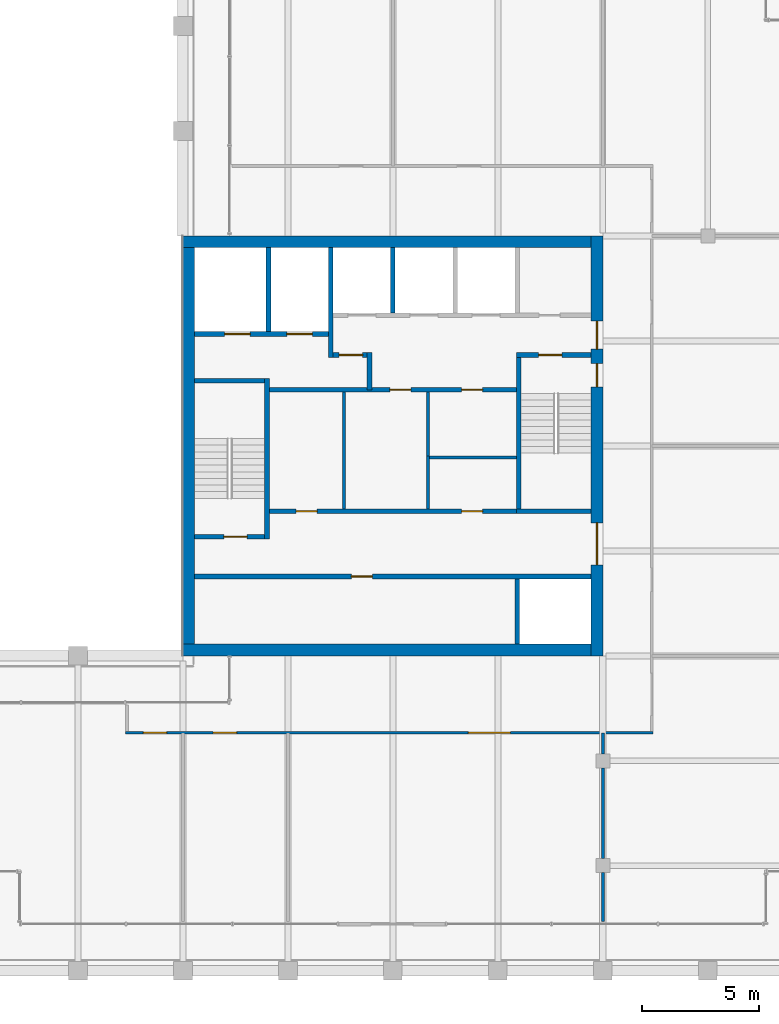
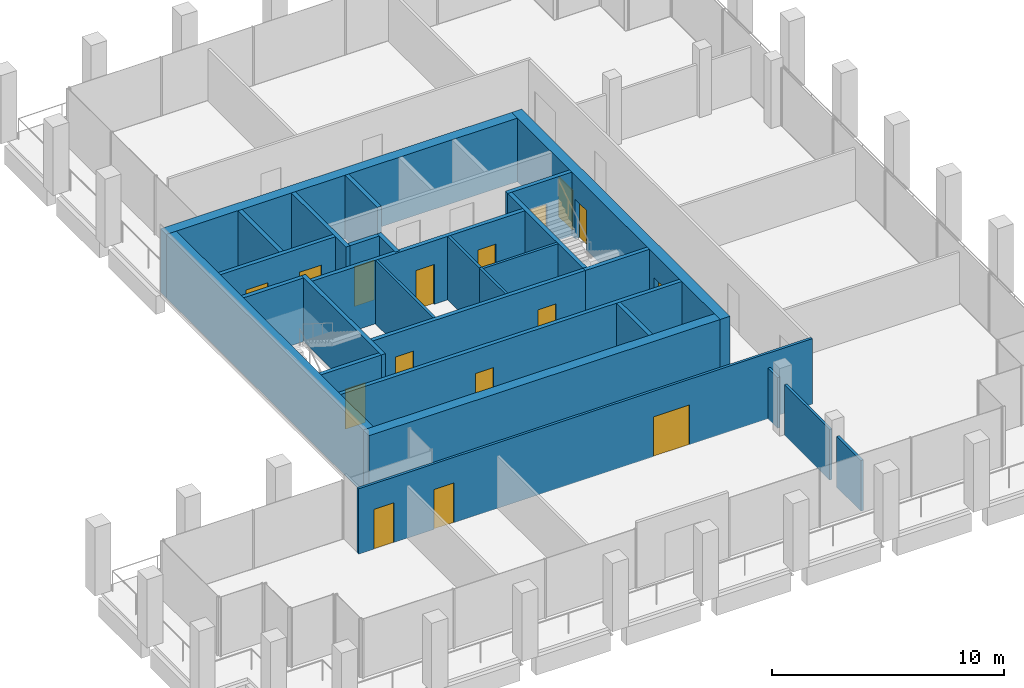
# One storey, part 28 of 30: 28 walls, 16 doors, 16 openings.
"""IFC4 building model written with IfcOpenShell, lengths in metres."""

from ifc_helpers import new_model, si_unit, direction, frame, frame_2d, origin, place, context, subcontext, project, spatial, rectangle, extrude, material, layer, layer_set, type_object, element, fill, save


model = new_model("IFC4")

# Units and contexts
model_context = context("Model", 3, precision=1e-05, world=origin(), true_north=direction((0.0, 1.0)))
body_context = subcontext(model_context, "Body", "Model", "MODEL_VIEW")
ifc_project = project(units=[si_unit("LENGTHUNIT", "METRE"), si_unit("AREAUNIT", "SQUARE_METRE"), si_unit("VOLUMEUNIT", "CUBIC_METRE"), si_unit("PLANEANGLEUNIT", "RADIAN"), si_unit("MASSUNIT", "GRAM", prefix="KILO")], contexts=[model_context])

# Site, building, storey
site_placement = place(None, origin())
site = spatial("IfcSite", under=ifc_project, at=site_placement, CompositionType="ELEMENT")
building_placement = place(site_placement, origin())
building = spatial("IfcBuilding", under=site, at=building_placement, Name="Altepetl Exchange Towers", CompositionType="ELEMENT")
storey_placement = place(building_placement, frame((0.0, 0.0, 235.199951171875)))
storey = spatial("IfcBuildingStorey", under=building, at=storey_placement, Name="L60", CompositionType="ELEMENT", Elevation=235.199951171875)

# Wall, openings, doors
ifc_material_1 = material(Name="Concrete C70/85", Category="concrete")
ifc_layer_1 = layer(ifc_material_1, 0.5)
ifc_layer_set_1 = layer_set([ifc_layer_1], Name="Concrete C70/85")
wall_type_1 = type_object("IfcWallType", Name="Core wall 500 reinforced concrete", PredefinedType="SHEAR", material=ifc_layer_set_1)
wall_1_placement = place(storey_placement, frame((58.25, 40.5, 0.0), z_axis=(0.0, 0.0, 1.0), x_axis=(0.0, 1.0, 0.0)))
wall_1 = element("IfcWall", 1, at=wall_1_placement, inside=storey, type_object=wall_type_1, Name="wall:A:L60:K-coreE", PredefinedType="SHEAR", context=body_context, shape_type="SweptSolid", body=[
    extrude(rectangle(XDim=18.0, YDim=0.5, at=frame_2d((9.0, 0.0))), origin(), (0.0, 0.0, 1.0), 3.35009765625),
])
opening_1_placement = place(wall_1_placement, frame((13.14990234375, 0.0, 0.0)))
opening_1 = element("IfcOpeningElement", 2, at=opening_1_placement, cuts=wall_1, Name="Opening L60.A60", PredefinedType="OPENING", context=body_context, shape_type="SweptSolid", body=[
    extrude(rectangle(XDim=1.199951171875, YDim=2.10009765625, at=frame_2d((0.60009765625, 1.050048828125))), frame((0.0, 0.260009765625, 0.0), z_axis=(0.0, -1.0, 0.0), x_axis=(1.0, 0.0, 0.0)), (0.0, 0.0, 1.0), 0.52001953125),
])
opening_2_placement = place(wall_1_placement, frame((3.89990234375, 0.0, 0.0)))
opening_2 = element("IfcOpeningElement", 3, at=opening_2_placement, cuts=wall_1, Name="Opening L60.A61", PredefinedType="OPENING", context=body_context, shape_type="SweptSolid", body=[
    extrude(rectangle(XDim=1.800048828125, YDim=2.10009765625, at=frame_2d((0.89990234375, 1.050048828125))), frame((0.0, 0.260009765625, 0.0), z_axis=(0.0, -1.0, 0.0), x_axis=(1.0, 0.0, 0.0)), (0.0, 0.0, 1.0), 0.52001953125),
])
opening_3_placement = place(wall_1_placement, frame((11.52490234375, 0.0, 0.0)))
opening_3 = element("IfcOpeningElement", 4, at=opening_3_placement, cuts=wall_1, Name="Opening L60.A64", PredefinedType="OPENING", context=body_context, shape_type="SweptSolid", body=[
    extrude(rectangle(XDim=1.0, YDim=2.10009765625, at=frame_2d((0.5, 1.050048828125))), frame((0.0, 0.260009765625, 0.0), z_axis=(0.0, -1.0, 0.0), x_axis=(1.0, 0.0, 0.0)), (0.0, 0.0, 1.0), 0.52001953125),
])
ifc_material_2 = material(Name="Steel and timber fire door", Category="steel")
door_type_1 = type_object("IfcDoorType", Name="Fire door 1000 x 2100 stair and lobby", OperationType="SINGLE_SWING_LEFT", PredefinedType="DOOR", material=ifc_material_2)
door_1_placement = place(opening_3_placement, origin())
door_1 = element("IfcDoor", 5, at=door_1_placement, inside=storey, type_object=door_type_1, Name="door:A:L60:K-dS2x", OperationType="SINGLE_SWING_RIGHT", OverallHeight=2.10009765625, OverallWidth=1.0, PredefinedType="DOOR", context=body_context, shape_type="SweptSolid", body=[
    extrude(rectangle(XDim=1.0, YDim=2.10009765625, at=frame_2d((0.5, 1.050048828125))), frame((0.0, 0.02490234375, 0.0), z_axis=(0.0, -1.0, 0.0), x_axis=(1.0, 0.0, 0.0)), (0.0, 0.0, 1.0), 0.050048828125),
])
fill(opening_3, door_1)
door_type_2 = type_object("IfcDoorType", Name="Fire door 1200 x 2100 lobby entry", OperationType="SINGLE_SWING_LEFT", PredefinedType="DOOR", material=ifc_material_2)
door_2_placement = place(opening_1_placement, origin())
door_2 = element("IfcDoor", 6, at=door_2_placement, inside=storey, type_object=door_type_2, Name="door:A:L60:K-dLNE", OperationType="SINGLE_SWING_RIGHT", OverallHeight=2.10009765625, OverallWidth=1.199951171875, PredefinedType="DOOR", context=body_context, shape_type="SweptSolid", body=[
    extrude(rectangle(XDim=1.199951171875, YDim=2.10009765625, at=frame_2d((0.60009765625, 1.050048828125))), frame((0.0, 0.02490234375, 0.0), z_axis=(0.0, -1.0, 0.0), x_axis=(1.0, 0.0, 0.0)), (0.0, 0.0, 1.0), 0.050048828125),
])
fill(opening_1, door_2)
door_type_3 = type_object("IfcDoorType", Name="Fire door 1800 x 2100 lobby entry", OperationType="DOUBLE_DOOR_SINGLE_SWING", PredefinedType="DOOR", material=ifc_material_2)
door_3_placement = place(opening_2_placement, origin())
door_3 = element("IfcDoor", 7, at=door_3_placement, inside=storey, type_object=door_type_3, Name="door:A:L60:K-dLSE", OperationType="DOUBLE_DOOR_SINGLE_SWING", OverallHeight=2.10009765625, OverallWidth=1.800048828125, PredefinedType="DOOR", context=body_context, shape_type="SweptSolid", body=[
    extrude(rectangle(XDim=1.800048828125, YDim=2.10009765625, at=frame_2d((0.89990234375, 1.050048828125))), frame((0.0, 0.02490234375, 0.0), z_axis=(0.0, -1.0, 0.0), x_axis=(1.0, 0.0, 0.0)), (0.0, 0.0, 1.0), 0.050048828125),
])
fill(opening_2, door_3)

# Walls
for number, where, name in (
    (8, (40.5, 58.25, 0.0), "wall:A:L60:K-coreN"),
    (9, (40.5, 40.75, 0.0), "wall:A:L60:K-coreS"),
):
    element("IfcWall", number, at=place(storey_placement, frame(where)), inside=storey, type_object=wall_type_1, Name=name, PredefinedType="SHEAR", context=body_context, shape_type="SweptSolid", body=[
        extrude(rectangle(XDim=17.5, YDim=0.5, at=frame_2d((8.75, 0.0))), origin(), (0.0, 0.0, 1.0), 3.35009765625),
    ])
ifc_layer_2 = layer(ifc_material_1, 0.5)
ifc_layer_set_2 = layer_set([ifc_layer_2], Name="Concrete C70/85")
wall_type_2 = type_object("IfcWallType", Name="Core wall 500 reinforced concrete external", PredefinedType="SHEAR", material=ifc_layer_set_2)
wall_2_placement = place(storey_placement, frame((40.75, 41.0, 0.0), z_axis=(0.0, 0.0, 1.0), x_axis=(0.0, 1.0, 0.0)))
element("IfcWall", 10, at=wall_2_placement, inside=storey, type_object=wall_type_2, Name="wall:A:L60:K-coreW", PredefinedType="SHEAR", context=body_context, shape_type="SweptSolid", body=[
    extrude(rectangle(XDim=17.0, YDim=0.5, at=frame_2d((8.5, 0.0))), origin(), (0.0, 0.0, 1.0), 3.35009765625),
])
ifc_material_3 = material(Name="Concrete blockwork", Category="masonry")
ifc_layer_3 = layer(ifc_material_3, 0.199951171875)
ifc_layer_set_3 = layer_set([ifc_layer_3], Name="Concrete blockwork")
wall_type_3 = type_object("IfcWallType", Name="Lobby wall 200 blockwork", PredefinedType="PARTITIONING", material=ifc_layer_set_3)
wall_3_placement = place(storey_placement, frame((48.5, 51.89990234375, 0.0), z_axis=(0.0, 0.0, 1.0), x_axis=(0.0, 1.0, 0.0)))
element("IfcWall", 11, at=wall_3_placement, inside=storey, type_object=wall_type_3, Name="wall:A:L60:K-ffE", PredefinedType="PARTITIONING", context=body_context, shape_type="SweptSolid", body=[
    extrude(rectangle(XDim=1.60009765625, YDim=0.199951171875, at=frame_2d((0.800048828125, 0.0))), origin(), (0.0, 0.0, 1.0), 3.35009765625),
])

# Wall, opening, door
wall_4_placement = place(storey_placement, frame((46.933349609375, 53.39990234375, 0.0)))
wall_4 = element("IfcWall", 12, at=wall_4_placement, inside=storey, type_object=wall_type_3, Name="wall:A:L60:K-ffN", PredefinedType="PARTITIONING", context=body_context, shape_type="SweptSolid", body=[
    extrude(rectangle(XDim=1.466552734375, YDim=0.199951171875, at=frame_2d((0.7333984375, 0.0))), origin(), (0.0, 0.0, 1.0), 3.35009765625),
])
opening_4_placement = place(wall_4_placement, frame((0.2666015625, 0.0, 0.0)))
opening_4 = element("IfcOpeningElement", 13, at=opening_4_placement, cuts=wall_4, Name="Opening L60.A65", PredefinedType="OPENING", context=body_context, shape_type="SweptSolid", body=[
    extrude(rectangle(XDim=1.0, YDim=2.10009765625, at=frame_2d((0.5, 1.050048828125))), frame((0.0, 0.10986328125, 0.0), z_axis=(0.0, -1.0, 0.0), x_axis=(1.0, 0.0, 0.0)), (0.0, 0.0, 1.0), 0.219970703125),
])
door_4_placement = place(opening_4_placement, frame((1.0, 0.0, 0.0), x_axis=(-1.0, 0.0, 0.0)))
door_4 = element("IfcDoor", 14, at=door_4_placement, inside=storey, type_object=door_type_1, Name="door:A:L60:K-dffN", OperationType="SINGLE_SWING_LEFT", OverallHeight=2.10009765625, OverallWidth=1.0, PredefinedType="DOOR", context=body_context, shape_type="SweptSolid", body=[
    extrude(rectangle(XDim=1.0, YDim=2.10009765625, at=frame_2d((0.5, 1.050048828125))), frame((0.0, 0.02490234375, 0.0), z_axis=(0.0, -1.0, 0.0), x_axis=(1.0, 0.0, 0.0)), (0.0, 0.0, 1.0), 0.050048828125),
])
fill(opening_4, door_4)

# Wall, openings, doors
wall_5_placement = place(storey_placement, frame((44.199951171875, 51.89990234375, 0.0)))
wall_5 = element("IfcWall", 15, at=wall_5_placement, inside=storey, type_object=wall_type_3, Name="wall:A:L60:K-zoneN", PredefinedType="PARTITIONING", context=body_context, shape_type="SweptSolid", body=[
    extrude(rectangle(XDim=10.60009765625, YDim=0.199951171875, at=frame_2d((5.300048828125, 0.0))), origin(), (0.0, 0.0, 1.0), 3.35009765625),
])
opening_5_placement = place(wall_5_placement, frame((5.175048828125, 0.0, 0.0)))
opening_5 = element("IfcOpeningElement", 16, at=opening_5_placement, cuts=wall_5, Name="Opening L60.A69", PredefinedType="OPENING", context=body_context, shape_type="SweptSolid", body=[
    extrude(rectangle(XDim=0.89990234375, YDim=2.10009765625, at=frame_2d((0.449951171875, 1.050048828125))), frame((0.0, 0.10986328125, 0.0), z_axis=(0.0, -1.0, 0.0), x_axis=(1.0, 0.0, 0.0)), (0.0, 0.0, 1.0), 0.219970703125),
])
opening_6_placement = place(wall_5_placement, frame((8.25, 0.0, 0.0)))
opening_6 = element("IfcOpeningElement", 17, at=opening_6_placement, cuts=wall_5, Name="Opening L60.A71", PredefinedType="OPENING", context=body_context, shape_type="SweptSolid", body=[
    extrude(rectangle(XDim=0.89990234375, YDim=2.10009765625, at=frame_2d((0.449951171875, 1.050048828125))), frame((0.0, 0.10986328125, 0.0), z_axis=(0.0, -1.0, 0.0), x_axis=(1.0, 0.0, 0.0)), (0.0, 0.0, 1.0), 0.219970703125),
])
door_type_4 = type_object("IfcDoorType", Name="Fire door 900 x 2100 service room", OperationType="SINGLE_SWING_LEFT", PredefinedType="DOOR", material=ifc_material_2)
door_5_placement = place(opening_5_placement, frame((0.89990234375, 0.0, 0.0), x_axis=(-1.0, 0.0, 0.0)))
door_5 = element("IfcDoor", 18, at=door_5_placement, inside=storey, type_object=door_type_4, Name="door:A:L60:K-dz2", OperationType="SINGLE_SWING_LEFT", OverallHeight=2.10009765625, OverallWidth=0.89990234375, PredefinedType="DOOR", context=body_context, shape_type="SweptSolid", body=[
    extrude(rectangle(XDim=0.89990234375, YDim=2.10009765625, at=frame_2d((0.449951171875, 1.050048828125))), frame((0.0, 0.02490234375, 0.0), z_axis=(0.0, -1.0, 0.0), x_axis=(1.0, 0.0, 0.0)), (0.0, 0.0, 1.0), 0.050048828125),
])
fill(opening_5, door_5)
door_6_placement = place(opening_6_placement, frame((0.89990234375, 0.0, 0.0), x_axis=(-1.0, 0.0, 0.0)))
door_6 = element("IfcDoor", 19, at=door_6_placement, inside=storey, type_object=door_type_4, Name="door:A:L60:K-dz4", OperationType="SINGLE_SWING_LEFT", OverallHeight=2.10009765625, OverallWidth=0.89990234375, PredefinedType="DOOR", context=body_context, shape_type="SweptSolid", body=[
    extrude(rectangle(XDim=0.89990234375, YDim=2.10009765625, at=frame_2d((0.449951171875, 1.050048828125))), frame((0.0, 0.02490234375, 0.0), z_axis=(0.0, -1.0, 0.0), x_axis=(1.0, 0.0, 0.0)), (0.0, 0.0, 1.0), 0.050048828125),
])
fill(opening_6, door_6)

wall_6_placement = place(storey_placement, frame((44.199951171875, 46.699951171875, 0.0)))
wall_6 = element("IfcWall", 20, at=wall_6_placement, inside=storey, type_object=wall_type_3, Name="wall:A:L60:K-zoneS", PredefinedType="PARTITIONING", context=body_context, shape_type="SweptSolid", body=[
    extrude(rectangle(XDim=10.60009765625, YDim=0.199951171875, at=frame_2d((5.300048828125, 0.0))), origin(), (0.0, 0.0, 1.0), 3.35009765625),
])
opening_7_placement = place(wall_6_placement, frame((1.14990234375, 0.0, 0.0)))
opening_7 = element("IfcOpeningElement", 21, at=opening_7_placement, cuts=wall_6, Name="Opening L60.A68", PredefinedType="OPENING", context=body_context, shape_type="SweptSolid", body=[
    extrude(rectangle(XDim=0.89990234375, YDim=2.10009765625, at=frame_2d((0.449951171875, 1.050048828125))), frame((0.0, 0.10986328125, 0.0), z_axis=(0.0, -1.0, 0.0), x_axis=(1.0, 0.0, 0.0)), (0.0, 0.0, 1.0), 0.219970703125),
])
opening_8_placement = place(wall_6_placement, frame((8.25, 0.0, 0.0)))
opening_8 = element("IfcOpeningElement", 22, at=opening_8_placement, cuts=wall_6, Name="Opening L60.A70", PredefinedType="OPENING", context=body_context, shape_type="SweptSolid", body=[
    extrude(rectangle(XDim=0.89990234375, YDim=2.10009765625, at=frame_2d((0.449951171875, 1.050048828125))), frame((0.0, 0.10986328125, 0.0), z_axis=(0.0, -1.0, 0.0), x_axis=(1.0, 0.0, 0.0)), (0.0, 0.0, 1.0), 0.219970703125),
])
door_7_placement = place(opening_7_placement, origin())
door_7 = element("IfcDoor", 23, at=door_7_placement, inside=storey, type_object=door_type_4, Name="door:A:L60:K-dz1", OperationType="SINGLE_SWING_RIGHT", OverallHeight=2.10009765625, OverallWidth=0.89990234375, PredefinedType="DOOR", context=body_context, shape_type="SweptSolid", body=[
    extrude(rectangle(XDim=0.89990234375, YDim=2.10009765625, at=frame_2d((0.449951171875, 1.050048828125))), frame((0.0, 0.02490234375, 0.0), z_axis=(0.0, -1.0, 0.0), x_axis=(1.0, 0.0, 0.0)), (0.0, 0.0, 1.0), 0.050048828125),
])
fill(opening_7, door_7)
door_8_placement = place(opening_8_placement, origin())
door_8 = element("IfcDoor", 24, at=door_8_placement, inside=storey, type_object=door_type_4, Name="door:A:L60:K-dz3", OperationType="SINGLE_SWING_RIGHT", OverallHeight=2.10009765625, OverallWidth=0.89990234375, PredefinedType="DOOR", context=body_context, shape_type="SweptSolid", body=[
    extrude(rectangle(XDim=0.89990234375, YDim=2.10009765625, at=frame_2d((0.449951171875, 1.050048828125))), frame((0.0, 0.02490234375, 0.0), z_axis=(0.0, -1.0, 0.0), x_axis=(1.0, 0.0, 0.0)), (0.0, 0.0, 1.0), 0.050048828125),
])
fill(opening_8, door_8)

# Walls
ifc_material_4 = material(Name="Gypsum board on steel studs", Category="steel")
ifc_layer_4 = layer(ifc_material_4, 0.125)
ifc_layer_set_4 = layer_set([ifc_layer_4], Name="Gypsum board on steel studs")
wall_type_4 = type_object("IfcWallType", Name="Partition 125 gypsum board on steel studs", PredefinedType="PARTITIONING", material=ifc_layer_set_4)
wall_7_placement = place(storey_placement, frame((47.39990234375, 46.800048828125, 0.0), z_axis=(0.0, 0.0, 1.0), x_axis=(0.0, 1.0, 0.0)))
element("IfcWall", 25, at=wall_7_placement, inside=storey, type_object=wall_type_4, Name="wall:A:L60:K-zp1", PredefinedType="PARTITIONING", context=body_context, shape_type="SweptSolid", body=[
    extrude(rectangle(XDim=5.0, YDim=0.125, at=frame_2d((2.5, 0.0))), origin(), (0.0, 0.0, 1.0), 3.35009765625),
])
wall_8_placement = place(storey_placement, frame((51.0, 46.800048828125, 0.0), z_axis=(0.0, 0.0, 1.0), x_axis=(0.0, 1.0, 0.0)))
element("IfcWall", 26, at=wall_8_placement, inside=storey, type_object=wall_type_4, Name="wall:A:L60:K-zp2", PredefinedType="PARTITIONING", context=body_context, shape_type="SweptSolid", body=[
    extrude(rectangle(XDim=2.262451171875, YDim=0.125, at=frame_2d((1.13134765625, 0.0))), origin(), (0.0, 0.0, 1.0), 3.35009765625),
])
wall_9_placement = place(storey_placement, frame((54.800048828125, 49.0, 0.0), z_axis=(0.0, 0.0, 1.0), x_axis=(-1.0, 0.0, 0.0)))
element("IfcWall", 27, at=wall_9_placement, inside=storey, type_object=wall_type_4, Name="wall:A:L60:K-zp3", PredefinedType="PARTITIONING", context=body_context, shape_type="SweptSolid", body=[
    extrude(rectangle(XDim=3.737548828125, YDim=0.125, at=frame_2d((1.86865234375, 0.0))), origin(), (0.0, 0.0, 1.0), 3.35009765625),
])
wall_10_placement = place(storey_placement, frame((51.0, 49.0, 0.0), z_axis=(0.0, 0.0, 1.0), x_axis=(0.0, 1.0, 0.0)))
element("IfcWall", 28, at=wall_10_placement, inside=storey, type_object=wall_type_4, Name="wall:A:L60:K-zp4", PredefinedType="PARTITIONING", context=body_context, shape_type="SweptSolid", body=[
    extrude(rectangle(XDim=2.800048828125, YDim=0.125, at=frame_2d((1.39990234375, 0.0))), origin(), (0.0, 0.0, 1.0), 3.35009765625),
])

# Wall, openings, doors
wall_11_placement = place(storey_placement, frame((38.03759765625, 37.199951171875, 0.0)))
wall_11 = element("IfcWall", 29, at=wall_11_placement, inside=storey, type_object=wall_type_4, Name="wall:A:L60:P01", PredefinedType="PARTITIONING", context=body_context, shape_type="SweptSolid", body=[
    extrude(rectangle(XDim=22.625, YDim=0.125, at=frame_2d((11.3125, 0.0))), origin(), (0.0, 0.0, 1.0), 3.449951171875),
])
opening_9_placement = place(wall_11_placement, frame((0.762451171875, 0.0, 0.0)))
opening_9 = element("IfcOpeningElement", 30, at=opening_9_placement, cuts=wall_11, Name="Opening L60.A01", PredefinedType="OPENING", context=body_context, shape_type="SweptSolid", body=[
    extrude(rectangle(XDim=1.0, YDim=2.10009765625, at=frame_2d((0.5, 1.050048828125))), frame((0.0, 0.072509765625, 0.0), z_axis=(0.0, -1.0, 0.0), x_axis=(1.0, 0.0, 0.0)), (0.0, 0.0, 1.0), 0.14501953125),
])
opening_10_placement = place(wall_11_placement, frame((3.757568359375, 0.0, 0.0)))
opening_10 = element("IfcOpeningElement", 31, at=opening_10_placement, cuts=wall_11, Name="Opening L60.A02", PredefinedType="OPENING", context=body_context, shape_type="SweptSolid", body=[
    extrude(rectangle(XDim=1.0, YDim=2.10009765625, at=frame_2d((0.5, 1.050048828125))), frame((0.0, 0.072509765625, 0.0), z_axis=(0.0, -1.0, 0.0), x_axis=(1.0, 0.0, 0.0)), (0.0, 0.0, 1.0), 0.14501953125),
])
opening_11_placement = place(wall_11_placement, frame((14.702392578125, 0.0, 0.0)))
opening_11 = element("IfcOpeningElement", 32, at=opening_11_placement, cuts=wall_11, Name="Opening L60.A03", PredefinedType="OPENING", context=body_context, shape_type="SweptSolid", body=[
    extrude(rectangle(XDim=1.800048828125, YDim=2.10009765625, at=frame_2d((0.89990234375, 1.050048828125))), frame((0.0, 0.072509765625, 0.0), z_axis=(0.0, -1.0, 0.0), x_axis=(1.0, 0.0, 0.0)), (0.0, 0.0, 1.0), 0.14501953125),
])
door_type_5 = type_object("IfcDoorType", Name="Fire door 1000 x 2100 single leaf", OperationType="SINGLE_SWING_LEFT", PredefinedType="DOOR", material=ifc_material_2)
door_9_placement = place(opening_9_placement, frame((1.0, 0.0, 0.0), x_axis=(-1.0, 0.0, 0.0)))
door_9 = element("IfcDoor", 33, at=door_9_placement, inside=storey, type_object=door_type_5, Name="door:A:L60:01", OperationType="SINGLE_SWING_RIGHT", OverallHeight=2.10009765625, OverallWidth=1.0, PredefinedType="DOOR", context=body_context, shape_type="SweptSolid", body=[
    extrude(rectangle(XDim=1.0, YDim=2.10009765625, at=frame_2d((0.5, 1.050048828125))), frame((0.0, 0.02490234375, 0.0), z_axis=(0.0, -1.0, 0.0), x_axis=(1.0, 0.0, 0.0)), (0.0, 0.0, 1.0), 0.050048828125),
])
fill(opening_9, door_9)
door_10_placement = place(opening_10_placement, frame((1.0, 0.0, 0.0), x_axis=(-1.0, 0.0, 0.0)))
door_10 = element("IfcDoor", 34, at=door_10_placement, inside=storey, type_object=door_type_5, Name="door:A:L60:02", OperationType="SINGLE_SWING_RIGHT", OverallHeight=2.10009765625, OverallWidth=1.0, PredefinedType="DOOR", context=body_context, shape_type="SweptSolid", body=[
    extrude(rectangle(XDim=1.0, YDim=2.10009765625, at=frame_2d((0.5, 1.050048828125))), frame((0.0, 0.02490234375, 0.0), z_axis=(0.0, -1.0, 0.0), x_axis=(1.0, 0.0, 0.0)), (0.0, 0.0, 1.0), 0.050048828125),
])
fill(opening_10, door_10)
door_type_6 = type_object("IfcDoorType", Name="Fire door 1800 x 2100 double leaf", OperationType="DOUBLE_DOOR_SINGLE_SWING", PredefinedType="DOOR", material=ifc_material_2)
door_11_placement = place(opening_11_placement, frame((1.800048828125, 0.0, 0.0), x_axis=(-1.0, 0.0, 0.0)))
door_11 = element("IfcDoor", 35, at=door_11_placement, inside=storey, type_object=door_type_6, Name="door:A:L60:03", OperationType="DOUBLE_DOOR_SINGLE_SWING", OverallHeight=2.10009765625, OverallWidth=1.800048828125, PredefinedType="DOOR", context=body_context, shape_type="SweptSolid", body=[
    extrude(rectangle(XDim=1.800048828125, YDim=2.10009765625, at=frame_2d((0.89990234375, 1.050048828125))), frame((0.0, 0.02490234375, 0.0), z_axis=(0.0, -1.0, 0.0), x_axis=(1.0, 0.0, 0.0)), (0.0, 0.0, 1.0), 0.050048828125),
])
fill(opening_11, door_11)

# Walls
wall_12_placement = place(storey_placement, frame((58.5, 29.10009765625, 0.0), z_axis=(0.0, 0.0, 1.0), x_axis=(0.0, 1.0, 0.0)))
element("IfcWall", 36, at=wall_12_placement, inside=storey, type_object=wall_type_4, Name="wall:A:L60:P12", PredefinedType="PARTITIONING", context=body_context, shape_type="SweptSolid", body=[
    extrude(rectangle(XDim=2.099853515625, YDim=0.125, at=frame_2d((1.0498046875, 0.0))), origin(), (0.0, 0.0, 1.0), 2.676025390625),
])
wall_13_placement = place(storey_placement, frame((58.5, 31.800048828125, 0.0), z_axis=(0.0, 0.0, 1.0), x_axis=(0.0, 1.0, 0.0)))
element("IfcWall", 37, at=wall_13_placement, inside=storey, type_object=wall_type_4, Name="wall:A:L60:P13", PredefinedType="PARTITIONING", context=body_context, shape_type="SweptSolid", body=[
    extrude(rectangle(XDim=3.89990234375, YDim=0.125, at=frame_2d((1.949951171875, 0.0))), origin(), (0.0, 0.0, 1.0), 2.676025390625),
])
wall_14_placement = place(storey_placement, frame((58.5, 36.300048828125, 0.0), z_axis=(0.0, 0.0, 1.0), x_axis=(0.0, 1.0, 0.0)))
element("IfcWall", 38, at=wall_14_placement, inside=storey, type_object=wall_type_4, Name="wall:A:L60:P14", PredefinedType="PARTITIONING", context=body_context, shape_type="SweptSolid", body=[
    extrude(rectangle(XDim=0.89990234375, YDim=0.125, at=frame_2d((0.449951171875, 0.0))), origin(), (0.0, 0.0, 1.0), 2.676025390625),
])
ifc_material_5 = material(Name="Concrete C40/50", Category="concrete")
ifc_layer_5 = layer(ifc_material_5, 0.199951171875)
ifc_layer_set_5 = layer_set([ifc_layer_5], Name="Concrete C40/50")
wall_type_5 = type_object("IfcWallType", Name="Shaft wall 200 reinforced concrete", PredefinedType="SHEAR", material=ifc_layer_set_5)
wall_15_placement = place(storey_placement, frame((44.166748046875, 58.0, 0.0), z_axis=(0.0, 0.0, 1.0), x_axis=(0.0, -1.0, 0.0)))
element("IfcWall", 39, at=wall_15_placement, inside=storey, type_object=wall_type_5, Name="wall:A:L60:K-divN1", PredefinedType="SHEAR", context=body_context, shape_type="SweptSolid", body=[
    extrude(rectangle(XDim=3.60009765625, YDim=0.199951171875, at=frame_2d((1.800048828125, 0.0))), origin(), (0.0, 0.0, 1.0), 3.35009765625),
])
wall_16_placement = place(storey_placement, frame((46.833251953125, 58.0, 0.0), z_axis=(0.0, 0.0, 1.0), x_axis=(0.0, -1.0, 0.0)))
element("IfcWall", 40, at=wall_16_placement, inside=storey, type_object=wall_type_5, Name="wall:A:L60:K-divN2", PredefinedType="SHEAR", context=body_context, shape_type="SweptSolid", body=[
    extrude(rectangle(XDim=4.699951171875, YDim=0.199951171875, at=frame_2d((2.35009765625, 0.0))), origin(), (0.0, 0.0, 1.0), 3.35009765625),
])
for number, where, z_axis, x_axis, name in (
    (41, (49.5, 58.0, 0.0), (0.0, 0.0, 1.0), (0.0, -1.0, 0.0), "wall:A:L60:K-divN3"),
    (42, (54.833251953125, 41.0, 0.0), (0.0, 0.0, 1.0), (0.0, 1.0, 0.0), "wall:A:L60:K-divS5"),
):
    element("IfcWall", number, at=place(storey_placement, frame(where, z_axis=z_axis, x_axis=x_axis)), inside=storey, type_object=wall_type_5, Name=name, PredefinedType="SHEAR", context=body_context, shape_type="SweptSolid", body=[
        extrude(rectangle(XDim=2.800048828125, YDim=0.199951171875, at=frame_2d((1.39990234375, 0.0))), origin(), (0.0, 0.0, 1.0), 3.35009765625),
    ])

# Wall, openings, doors
wall_17_placement = place(storey_placement, frame((41.0, 54.300048828125, 0.0)))
wall_17 = element("IfcWall", 43, at=wall_17_placement, inside=storey, type_object=wall_type_5, Name="wall:A:L60:K-frontNd", PredefinedType="SHEAR", context=body_context, shape_type="SweptSolid", body=[
    extrude(rectangle(XDim=5.7333984375, YDim=0.199951171875, at=frame_2d((2.86669921875, 0.0))), origin(), (0.0, 0.0, 1.0), 3.35009765625),
])
opening_12_placement = place(wall_17_placement, frame((1.283203125, 0.0, 0.0)))
opening_12 = element("IfcOpeningElement", 44, at=opening_12_placement, cuts=wall_17, Name="Opening L60.A72", PredefinedType="OPENING", context=body_context, shape_type="SweptSolid", body=[
    extrude(rectangle(XDim=1.10009765625, YDim=2.10009765625, at=frame_2d((0.550048828125, 1.050048828125))), frame((0.0, 0.10986328125, 0.0), z_axis=(0.0, -1.0, 0.0), x_axis=(1.0, 0.0, 0.0)), (0.0, 0.0, 1.0), 0.219970703125),
])
opening_13_placement = place(wall_17_placement, frame((3.949951171875, 0.0, 0.0)))
opening_13 = element("IfcOpeningElement", 45, at=opening_13_placement, cuts=wall_17, Name="Opening L60.A73", PredefinedType="OPENING", context=body_context, shape_type="SweptSolid", body=[
    extrude(rectangle(XDim=1.10009765625, YDim=2.10009765625, at=frame_2d((0.550048828125, 1.050048828125))), frame((0.0, 0.10986328125, 0.0), z_axis=(0.0, -1.0, 0.0), x_axis=(1.0, 0.0, 0.0)), (0.0, 0.0, 1.0), 0.219970703125),
])
ifc_material_6 = material(Name="Stainless steel", Category="steel")
door_type_7 = type_object("IfcDoorType", Name="Lift landing door 1100 x 2100", OperationType="SLIDING_TO_LEFT", PredefinedType="DOOR", material=ifc_material_6)
door_12_placement = place(opening_12_placement, origin())
door_12 = element("IfcDoor", 46, at=door_12_placement, inside=storey, type_object=door_type_7, Name="Landing door FFL1", OperationType="SLIDING_TO_LEFT", OverallHeight=2.10009765625, OverallWidth=1.10009765625, PredefinedType="DOOR", context=body_context, shape_type="SweptSolid", body=[
    extrude(rectangle(XDim=1.10009765625, YDim=2.10009765625, at=frame_2d((0.550048828125, 1.050048828125))), frame((0.0, 0.02490234375, 0.0), z_axis=(0.0, -1.0, 0.0), x_axis=(1.0, 0.0, 0.0)), (0.0, 0.0, 1.0), 0.050048828125),
])
fill(opening_12, door_12)
door_13_placement = place(opening_13_placement, origin())
door_13 = element("IfcDoor", 47, at=door_13_placement, inside=storey, type_object=door_type_7, Name="Landing door FFL2", OperationType="SLIDING_TO_LEFT", OverallHeight=2.10009765625, OverallWidth=1.10009765625, PredefinedType="DOOR", context=body_context, shape_type="SweptSolid", body=[
    extrude(rectangle(XDim=1.10009765625, YDim=2.10009765625, at=frame_2d((0.550048828125, 1.050048828125))), frame((0.0, 0.02490234375, 0.0), z_axis=(0.0, -1.0, 0.0), x_axis=(1.0, 0.0, 0.0)), (0.0, 0.0, 1.0), 0.050048828125),
])
fill(opening_13, door_13)

# Wall, opening, door
wall_18_placement = place(storey_placement, frame((41.0, 43.89990234375, 0.0)))
wall_18 = element("IfcWall", 48, at=wall_18_placement, inside=storey, type_object=wall_type_5, Name="wall:A:L60:K-frontS", PredefinedType="SHEAR", context=body_context, shape_type="SweptSolid", body=[
    extrude(rectangle(XDim=17.0, YDim=0.199951171875, at=frame_2d((8.5, 0.0))), origin(), (0.0, 0.0, 1.0), 3.35009765625),
])
opening_14_placement = place(wall_18_placement, frame((6.716796875, 0.0, 0.0)))
opening_14 = element("IfcOpeningElement", 49, at=opening_14_placement, cuts=wall_18, Name="Opening L60.A67", PredefinedType="OPENING", context=body_context, shape_type="SweptSolid", body=[
    extrude(rectangle(XDim=0.89990234375, YDim=2.10009765625, at=frame_2d((0.449951171875, 1.050048828125))), frame((0.0, 0.10986328125, 0.0), z_axis=(0.0, -1.0, 0.0), x_axis=(1.0, 0.0, 0.0)), (0.0, 0.0, 1.0), 0.219970703125),
])
door_14_placement = place(opening_14_placement, frame((0.89990234375, 0.0, 0.0), x_axis=(-1.0, 0.0, 0.0)))
door_14 = element("IfcDoor", 50, at=door_14_placement, inside=storey, type_object=door_type_4, Name="door:A:L60:K-dslotS0", OperationType="SINGLE_SWING_LEFT", OverallHeight=2.10009765625, OverallWidth=0.89990234375, PredefinedType="DOOR", context=body_context, shape_type="SweptSolid", body=[
    extrude(rectangle(XDim=0.89990234375, YDim=2.10009765625, at=frame_2d((0.449951171875, 1.050048828125))), frame((0.0, 0.02490234375, 0.0), z_axis=(0.0, -1.0, 0.0), x_axis=(1.0, 0.0, 0.0)), (0.0, 0.0, 1.0), 0.050048828125),
])
fill(opening_14, door_14)

# Walls
ifc_layer_6 = layer(ifc_material_5, 0.199951171875)
ifc_layer_set_6 = layer_set([ifc_layer_6], Name="Concrete C40/50")
wall_type_6 = type_object("IfcWallType", Name="Stair wall 200 reinforced concrete", PredefinedType="SHEAR", material=ifc_layer_set_6)
wall_19_placement = place(storey_placement, frame((44.10009765625, 45.5, 0.0), z_axis=(0.0, 0.0, 1.0), x_axis=(0.0, 1.0, 0.0)))
element("IfcWall", 51, at=wall_19_placement, inside=storey, type_object=wall_type_6, Name="wall:A:L60:K-stS1E", PredefinedType="SHEAR", context=body_context, shape_type="SweptSolid", body=[
    extrude(rectangle(XDim=6.89990234375, YDim=0.199951171875, at=frame_2d((3.449951171875, 0.0))), origin(), (0.0, 0.0, 1.0), 3.35009765625),
])
wall_20_placement = place(storey_placement, frame((41.0, 52.300048828125, 0.0)))
element("IfcWall", 52, at=wall_20_placement, inside=storey, type_object=wall_type_6, Name="wall:A:L60:K-stS1N", PredefinedType="SHEAR", context=body_context, shape_type="SweptSolid", body=[
    extrude(rectangle(XDim=3.0, YDim=0.199951171875, at=frame_2d((1.5, 0.0))), origin(), (0.0, 0.0, 1.0), 3.35009765625),
])

# Wall, opening, door
wall_21_placement = place(storey_placement, frame((41.0, 45.60009765625, 0.0)))
wall_21 = element("IfcWall", 53, at=wall_21_placement, inside=storey, type_object=wall_type_6, Name="wall:A:L60:K-stS1S", PredefinedType="SHEAR", context=body_context, shape_type="SweptSolid", body=[
    extrude(rectangle(XDim=3.0, YDim=0.199951171875, at=frame_2d((1.5, 0.0))), origin(), (0.0, 0.0, 1.0), 3.35009765625),
])
opening_15_placement = place(wall_21_placement, frame((1.25, 0.0, 0.0)))
opening_15 = element("IfcOpeningElement", 54, at=opening_15_placement, cuts=wall_21, Name="Opening L60.A62", PredefinedType="OPENING", context=body_context, shape_type="SweptSolid", body=[
    extrude(rectangle(XDim=1.0, YDim=2.10009765625, at=frame_2d((0.5, 1.050048828125))), frame((0.0, 0.10986328125, 0.0), z_axis=(0.0, -1.0, 0.0), x_axis=(1.0, 0.0, 0.0)), (0.0, 0.0, 1.0), 0.219970703125),
])
door_15_placement = place(opening_15_placement, origin())
door_15 = element("IfcDoor", 55, at=door_15_placement, inside=storey, type_object=door_type_1, Name="door:A:L60:K-dS1in", OperationType="SINGLE_SWING_RIGHT", OverallHeight=2.10009765625, OverallWidth=1.0, PredefinedType="DOOR", context=body_context, shape_type="SweptSolid", body=[
    extrude(rectangle(XDim=1.0, YDim=2.10009765625, at=frame_2d((0.5, 1.050048828125))), frame((0.0, 0.02490234375, 0.0), z_axis=(0.0, -1.0, 0.0), x_axis=(1.0, 0.0, 0.0)), (0.0, 0.0, 1.0), 0.050048828125),
])
fill(opening_15, door_15)

wall_22_placement = place(storey_placement, frame((54.800048828125, 53.39990234375, 0.0)))
wall_22 = element("IfcWall", 56, at=wall_22_placement, inside=storey, type_object=wall_type_6, Name="wall:A:L60:K-stS2N", PredefinedType="SHEAR", context=body_context, shape_type="SweptSolid", body=[
    extrude(rectangle(XDim=3.199951171875, YDim=0.199951171875, at=frame_2d((1.60009765625, 0.0))), origin(), (0.0, 0.0, 1.0), 3.35009765625),
])
opening_16_placement = place(wall_22_placement, frame((0.949951171875, 0.0, 0.0)))
opening_16 = element("IfcOpeningElement", 57, at=opening_16_placement, cuts=wall_22, Name="Opening L60.A63", PredefinedType="OPENING", context=body_context, shape_type="SweptSolid", body=[
    extrude(rectangle(XDim=1.0, YDim=2.10009765625, at=frame_2d((0.5, 1.050048828125))), frame((0.0, 0.10986328125, 0.0), z_axis=(0.0, -1.0, 0.0), x_axis=(1.0, 0.0, 0.0)), (0.0, 0.0, 1.0), 0.219970703125),
])
door_16_placement = place(opening_16_placement, frame((1.0, 0.0, 0.0), x_axis=(-1.0, 0.0, 0.0)))
door_16 = element("IfcDoor", 58, at=door_16_placement, inside=storey, type_object=door_type_1, Name="door:A:L60:K-dS2in", OperationType="SINGLE_SWING_LEFT", OverallHeight=2.10009765625, OverallWidth=1.0, PredefinedType="DOOR", context=body_context, shape_type="SweptSolid", body=[
    extrude(rectangle(XDim=1.0, YDim=2.10009765625, at=frame_2d((0.5, 1.050048828125))), frame((0.0, 0.02490234375, 0.0), z_axis=(0.0, -1.0, 0.0), x_axis=(1.0, 0.0, 0.0)), (0.0, 0.0, 1.0), 0.050048828125),
])
fill(opening_16, door_16)

# Walls
wall_23_placement = place(storey_placement, frame((54.800048828125, 46.699951171875, 0.0)))
element("IfcWall", 59, at=wall_23_placement, inside=storey, type_object=wall_type_6, Name="wall:A:L60:K-stS2S", PredefinedType="SHEAR", context=body_context, shape_type="SweptSolid", body=[
    extrude(rectangle(XDim=3.199951171875, YDim=0.199951171875, at=frame_2d((1.60009765625, 0.0))), origin(), (0.0, 0.0, 1.0), 3.35009765625),
])
wall_24_placement = place(storey_placement, frame((54.89990234375, 46.800048828125, 0.0), z_axis=(0.0, 0.0, 1.0), x_axis=(0.0, 1.0, 0.0)))
element("IfcWall", 60, at=wall_24_placement, inside=storey, type_object=wall_type_6, Name="wall:A:L60:K-stS2W", PredefinedType="SHEAR", context=body_context, shape_type="SweptSolid", body=[
    extrude(rectangle(XDim=6.5, YDim=0.199951171875, at=frame_2d((3.25, 0.0))), origin(), (0.0, 0.0, 1.0), 3.35009765625),
])

save(model, "model.ifc")
